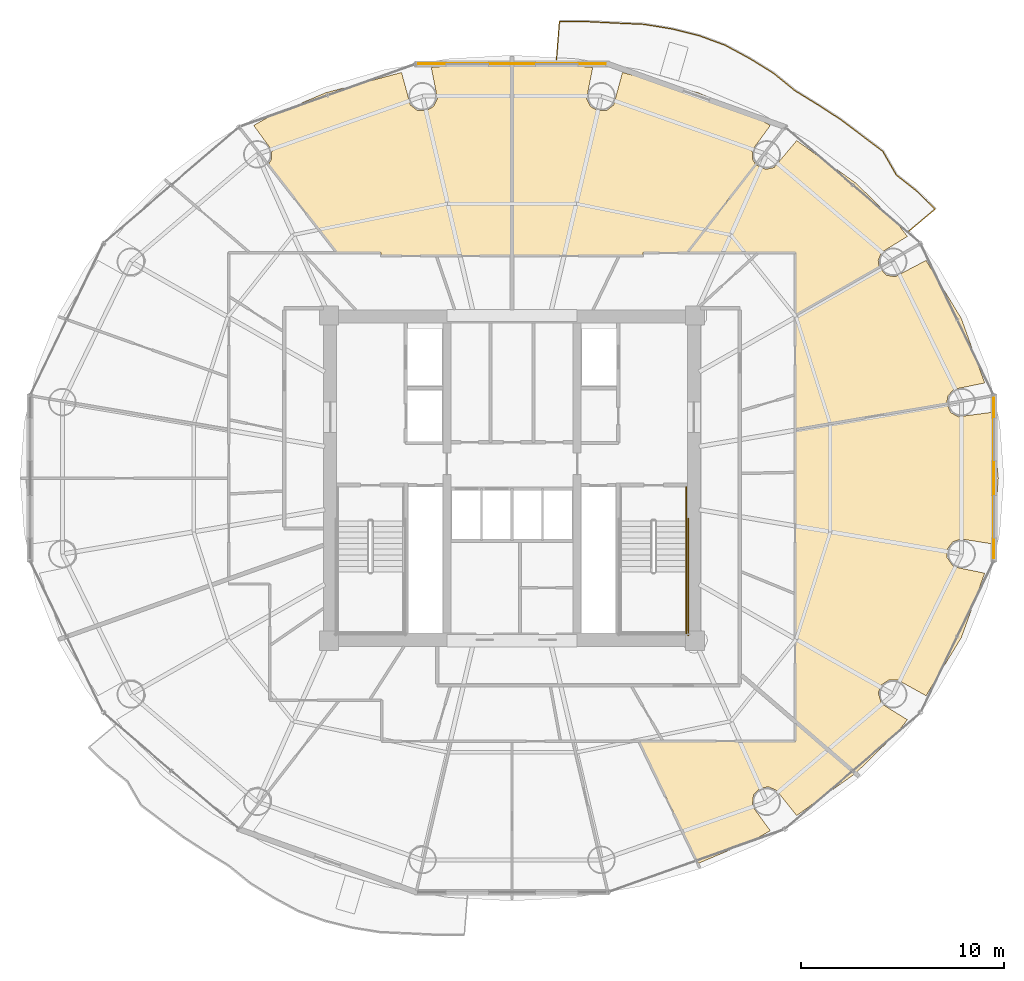
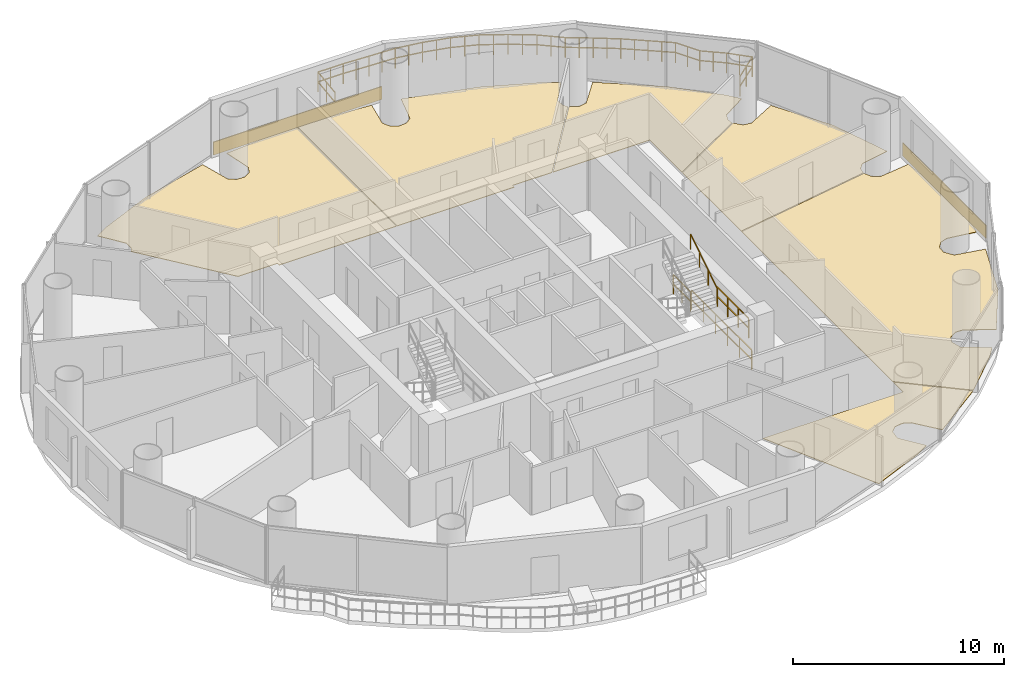
# One storey, part 27 of 27: 8 coverings, 5 railings.
"""IFC4 building model written with IfcOpenShell, lengths in metres."""

import ifcopenshell
import ifcopenshell.guid

model = None  # the IFC model being written
_history = None  # IfcOwnerHistory: only IFC2X3 demands one
_inside = {}  # id of a spatial element -> (the spatial element, [elements in it])
_under = {}  # id of a project, library or spatial element -> (it, [spatial elements below it])
_declared = {}  # id of a project -> (the project, [libraries it declares])
_typed = {}  # id of a type object -> (the type object, [elements of that type])
_made_of = {}  # id of a material, layer set ... -> (it, [elements and type objects made of it])


def new_model(schema):
    """Start an empty IFC model of exactly this schema.

    Asked for "IFC4X3", IfcOpenShell would pick the latest addendum, in which some entities
    have other attributes; the version numbers below select the first issue.
    IFC2X3 requires an IfcOwnerHistory on every rooted entity: one is made here for all.
    """
    global model, _history
    if schema == "IFC4X3":
        model = ifcopenshell.file(schema_version=(4, 3, 0, 0))
    else:
        model = ifcopenshell.file(schema=schema)
    _inside.clear()
    _under.clear()
    _declared.clear()
    _typed.clear()
    _made_of.clear()
    _history = None
    if model.schema == "IFC2X3":
        org = make("IfcOrganization", Name="unknown")
        user = make(
            "IfcPersonAndOrganization",
            ThePerson=make("IfcPerson", FamilyName="unknown"),
            TheOrganization=org,
        )
        app = make(
            "IfcApplication",
            ApplicationDeveloper=org,
            Version="unknown",
            ApplicationFullName="unknown",
            ApplicationIdentifier="unknown",
        )
        _history = make(
            "IfcOwnerHistory",
            OwningUser=user,
            OwningApplication=app,
            ChangeAction="ADDED",
            CreationDate=0,
        )
    return model


def make(cls, **values):
    """One entity of the class cls with the attributes given. An attribute that is None is left unset."""
    return model.create_entity(
        cls, **{name: value for name, value in values.items() if value is not None}
    )


def rooted(cls, **values):
    """An entity with a GlobalId (a new one), such as an element, a storey or a relation."""
    return make(cls, GlobalId=ifcopenshell.guid.new(), OwnerHistory=_history, **values)


def si_unit(unit_type, name, prefix=None):
    """IfcSIUnit, for example si_unit("LENGTHUNIT", "METRE", prefix="MILLI")."""
    return make("IfcSIUnit", UnitType=unit_type, Prefix=prefix, Name=name)


def assignment(units):
    """IfcUnitAssignment: the units of a project."""
    return None if units is None else make("IfcUnitAssignment", Units=units)


def point(xyz):
    """IfcCartesianPoint."""
    return None if xyz is None else make("IfcCartesianPoint", Coordinates=xyz)


def direction(xyz):
    """IfcDirection."""
    return None if xyz is None else make("IfcDirection", DirectionRatios=xyz)


def frame(location, z_axis=None, x_axis=None):
    """IfcAxis2Placement3D, a coordinate frame: its origin and axes. An axis left out is left unset."""
    return make(
        "IfcAxis2Placement3D",
        Location=point(location),
        Axis=direction(z_axis),
        RefDirection=direction(x_axis),
    )


def frame_2d(location, x_axis=None):
    """IfcAxis2Placement2D, a coordinate frame in the plane: its origin and x axis."""
    return make(
        "IfcAxis2Placement2D", Location=point(location), RefDirection=direction(x_axis)
    )


def origin():
    """The frame at (0, 0, 0) with its axes left unset."""
    return frame((0.0, 0.0, 0.0))


def origin_2d():
    """The frame at (0, 0) in the plane with its x axis left unset."""
    return frame_2d((0.0, 0.0))


def place(relative_to, where):
    """IfcLocalPlacement: puts the frame where relative to a parent placement (None: the world)."""
    return make(
        "IfcLocalPlacement", PlacementRelTo=relative_to, RelativePlacement=where
    )


def context(
    kind, dimensions, precision=None, world=None, true_north=None, identifier=None
):
    """IfcGeometricRepresentationContext, for example the 3D "Model" context."""
    return make(
        "IfcGeometricRepresentationContext",
        ContextIdentifier=identifier,
        ContextType=kind,
        CoordinateSpaceDimension=dimensions,
        Precision=precision,
        WorldCoordinateSystem=world,
        TrueNorth=true_north,
    )


def subcontext(parent, identifier, kind, view, scale=None):
    """IfcGeometricRepresentationSubContext, for example "Body" below "Model"."""
    return make(
        "IfcGeometricRepresentationSubContext",
        ContextIdentifier=identifier,
        ContextType=kind,
        ParentContext=parent,
        TargetScale=scale,
        TargetView=view,
    )


def project(units=None, contexts=None):
    """IfcProject with its units and contexts."""
    return rooted(
        "IfcProject",
        Name="project",
        RepresentationContexts=contexts,
        UnitsInContext=assignment(units),
    )


def spatial(cls, under=None, at=None, **own):
    """A site, building, storey or space (cls), placed at a placement, below another one or the project."""
    s = rooted(cls, ObjectPlacement=at, **own)
    if under is not None:
        _under.setdefault(under.id(), (under, []))[1].append(s)
    return s


def polyline(points):
    """IfcPolyline through the points."""
    return make("IfcPolyline", Points=[point(p) for p in points])


def profile(cls, at=None, kind="AREA", **sizes):
    """A parametric profile (cls). Its sizes go by their IFC names, for example OverallWidth=200.0."""
    return make(cls, ProfileType=kind, Position=at, **sizes)


def rectangle(**sizes):
    """IfcRectangleProfileDef."""
    return profile("IfcRectangleProfileDef", **sizes)


def outline(outer, holes=None, kind="AREA"):
    """IfcArbitraryClosedProfileDef: a profile drawn as a closed curve; with holes, ...WithVoids."""
    if holes is None:
        return make("IfcArbitraryClosedProfileDef", ProfileType=kind, OuterCurve=outer)
    return make(
        "IfcArbitraryProfileDefWithVoids",
        ProfileType=kind,
        OuterCurve=outer,
        InnerCurves=holes,
    )


def extrude(swept, where, along, depth):
    """IfcExtrudedAreaSolid: the profile swept, set in the frame where, extruded along a direction by depth."""
    return make(
        "IfcExtrudedAreaSolid",
        SweptArea=swept,
        Position=where,
        ExtrudedDirection=direction(along),
        Depth=depth,
    )


def shape(context_of_items, identifier, shape_type, items):
    """IfcShapeRepresentation: the items that make up one representation, for example the "Body"."""
    return make(
        "IfcShapeRepresentation",
        ContextOfItems=context_of_items,
        RepresentationIdentifier=identifier,
        RepresentationType=shape_type,
        Items=items,
    )


def source(mapping_origin, context_of_items, identifier, shape_type, items):
    """IfcRepresentationMap: a shape defined once, which mapped items show again and again."""
    return make(
        "IfcRepresentationMap",
        MappingOrigin=mapping_origin,
        MappedRepresentation=shape(context_of_items, identifier, shape_type, items),
    )


def transform(
    local_origin,
    x_axis=None,
    y_axis=None,
    z_axis=None,
    scale=None,
    scale2=None,
    scale3=None,
    uniform=True,
):
    """IfcCartesianTransformationOperator3D, or its non-uniform kind. x_axis, y_axis, z_axis: its Axis1, 2, 3."""
    if uniform:
        return make(
            "IfcCartesianTransformationOperator3D",
            Axis1=direction(x_axis),
            Axis2=direction(y_axis),
            LocalOrigin=point(local_origin),
            Scale=scale,
            Axis3=direction(z_axis),
        )
    return make(
        "IfcCartesianTransformationOperator3DnonUniform",
        Axis1=direction(x_axis),
        Axis2=direction(y_axis),
        LocalOrigin=point(local_origin),
        Scale=scale,
        Axis3=direction(z_axis),
        Scale2=scale2,
        Scale3=scale3,
    )


def mapped(mapping_source, mapping_target):
    """IfcMappedItem: shows the shape of a source again, moved by a transform."""
    return make(
        "IfcMappedItem", MappingSource=mapping_source, MappingTarget=mapping_target
    )


def material(Name=None, Category=None):
    """IfcMaterial."""
    return make("IfcMaterial", Name=Name, Category=Category)


def layer(
    of_material, thickness, ventilated=None, Name=None, Category=None, Priority=None
):
    """IfcMaterialLayer: one layer of a wall or slab, of a material (None: an air gap)."""
    return make(
        "IfcMaterialLayer",
        Material=of_material,
        LayerThickness=thickness,
        IsVentilated=ventilated,
        Name=Name,
        Category=Category,
        Priority=Priority,
    )


def layer_set(layers, Name=None):
    """IfcMaterialLayerSet."""
    return make("IfcMaterialLayerSet", MaterialLayers=layers, LayerSetName=Name)


def made_of(thing, what):
    """Note that an element or type object is made of a material, layer set ...; save() writes the relation."""
    if what is not None:
        _made_of.setdefault(what.id(), (what, []))[1].append(thing)
    return thing


def type_object(cls, material=None, **own):
    """A type object (cls), such as IfcWallType, which elements share."""
    return made_of(rooted(cls, **own), material)


def element(
    cls,
    number,
    at=None,
    inside=None,
    cuts=None,
    type_object=None,
    material=None,
    context=None,
    identifier="Body",
    shape_type=None,
    held_by="IfcProductDefinitionShape",
    body=None,
    shapes=None,
    **own,
):
    """One element of the class cls, such as IfcWall. Its Tag is "e" and its number.

    at: its placement. inside: the storey or other place that contains it. cuts: it is an
    opening in that element (IfcRelVoidsElement). A single representation is given by context,
    identifier, shape_type and body (its items); several are given by shapes. held_by: the class
    of the entity that holds the representations. save() writes the other relations.
    """
    e = rooted(cls, Tag="e%d" % number, ObjectPlacement=at, **own)
    if body is not None:
        shapes = [shape(context, identifier, shape_type, body)]
    if shapes is not None:
        e.Representation = make(held_by, Representations=shapes)
    if inside is not None:
        _inside.setdefault(inside.id(), (inside, []))[1].append(e)
    if cuts is not None:
        rooted(
            "IfcRelVoidsElement", RelatingBuildingElement=cuts, RelatedOpeningElement=e
        )
    if type_object is not None:
        _typed.setdefault(type_object.id(), (type_object, []))[1].append(e)
    return made_of(e, material)


def aggregate(whole, parts):
    """IfcRelAggregates: a whole, such as a stair, and the parts it consists of."""
    return rooted("IfcRelAggregates", RelatingObject=whole, RelatedObjects=parts)


def save(model, path):
    """Write the relations noted so far, then the file.

    IfcRelAggregates (storeys below a building ...), IfcRelContainedInSpatialStructure (elements
    in a storey), IfcRelDefinesByType, IfcRelAssociatesMaterial and IfcRelDeclares: one each for
    every whole, place, type object, material and project.
    """
    for whole, parts in _under.values():
        aggregate(whole, parts)
    for where, things in _inside.values():
        rooted(
            "IfcRelContainedInSpatialStructure",
            RelatedElements=things,
            RelatingStructure=where,
        )
    for kind, things in _typed.values():
        rooted("IfcRelDefinesByType", RelatedObjects=things, RelatingType=kind)
    for what, things in _made_of.values():
        rooted("IfcRelAssociatesMaterial", RelatedObjects=things, RelatingMaterial=what)
    for by, libraries in _declared.values():
        rooted("IfcRelDeclares", RelatingContext=by, RelatedDefinitions=libraries)
    model.write(path)


model = new_model("IFC4")

# Units and contexts
model_context = context("Model", 3, precision=1e-05, world=origin(), true_north=direction((-0.2419218956, 0.970295726276)))
body_context = subcontext(model_context, "Body", "Model", "MODEL_VIEW")
ifc_project = project(units=[si_unit("LENGTHUNIT", "METRE"), si_unit("AREAUNIT", "SQUARE_METRE"), si_unit("VOLUMEUNIT", "CUBIC_METRE"), si_unit("PLANEANGLEUNIT", "RADIAN"), si_unit("MASSUNIT", "GRAM", prefix="KILO")], contexts=[model_context])

# Site, building, storey
site_placement = place(None, origin())
site = spatial("IfcSite", under=ifc_project, at=site_placement, CompositionType="ELEMENT")
building_placement = place(site_placement, origin())
building = spatial("IfcBuilding", under=site, at=building_placement, Name="Cobrevalo Terracotta Tower", CompositionType="ELEMENT")
storey_placement = place(building_placement, frame((0.0, 0.0, 146.199951171875)))
storey = spatial("IfcBuildingStorey", under=building, at=storey_placement, Name="L38", CompositionType="ELEMENT", Elevation=146.199951171875)

# Railing
ifc_material_1 = material(Name="Laminated structural glass and stainless steel", Category="steel")
railing_type_1 = type_object("IfcRailingType", Name="Balcony lobe structural glass & terracotta-cap balustrade 1180 mm", PredefinedType="BALUSTRADE", material=ifc_material_1)
railing_1_placement = place(storey_placement, frame((57.500244140625, 38.928955078125, 0.0)))
element("IfcRailing", 1, at=railing_1_placement, inside=storey, type_object=railing_type_1, Name="L38 spiralling balcony lobe balustrade 1", PredefinedType="BALUSTRADE", context=body_context, shape_type="SweptSolid", body=[
    extrude(rectangle(XDim=0.048095703125, YDim=0.048095703125, at=origin_2d()), frame((0.0, 0.0, 1.15576171875), z_axis=(0.765211547873, 0.643778911585, 0.0), x_axis=(-0.643778911585, 0.765211547873, 0.0)), (0.0, 0.0, 1.0), 1.70703125),
    extrude(rectangle(XDim=0.048095703125, YDim=0.048095703125, at=origin_2d()), frame((0.0, 0.0, 0.58984375), z_axis=(0.765211547873, 0.643778911585, 0.0), x_axis=(-0.643778911585, 0.765211547873, 0.0)), (0.0, 0.0, 1.0), 1.70703125),
    extrude(rectangle(XDim=0.048095703125, YDim=0.048095703125, at=origin_2d()), frame((1.30615234375, 1.098876953125, 1.15576171875), z_axis=(-0.710283442985, 0.703915783757, 0.0), x_axis=(-0.703915783757, -0.710283442985, 0.0)), (0.0, 0.0, 1.0), 1.26513671875),
    extrude(rectangle(XDim=0.048095703125, YDim=0.048095703125, at=origin_2d()), frame((1.30615234375, 1.098876953125, 0.58984375), z_axis=(-0.710283442985, 0.703915783757, 0.0), x_axis=(-0.703915783757, -0.710283442985, 0.0)), (0.0, 0.0, 1.0), 1.26513671875),
    extrude(rectangle(XDim=0.048095703125, YDim=0.048095703125, at=origin_2d()), frame((0.407470703125, 1.989501953125, 1.15576171875), z_axis=(-0.78555631562, 0.618790170405, 0.0), x_axis=(-0.618790170405, -0.78555631562, 0.0)), (0.0, 0.0, 1.0), 1.279541015625),
    extrude(rectangle(XDim=0.048095703125, YDim=0.048095703125, at=origin_2d()), frame((0.407470703125, 1.989501953125, 0.58984375), z_axis=(-0.78555631562, 0.618790170405, 0.0), x_axis=(-0.618790170405, -0.78555631562, 0.0)), (0.0, 0.0, 1.0), 1.279541015625),
    extrude(rectangle(XDim=0.048095703125, YDim=0.048095703125, at=origin_2d()), frame((-0.59765625, 2.78125, 1.15576171875), z_axis=(-0.496491953302, 0.868041324078, 0.0), x_axis=(-0.868041324078, -0.496491953302, 0.0)), (0.0, 0.0, 1.0), 1.340576171875),
    extrude(rectangle(XDim=0.048095703125, YDim=0.048095703125, at=origin_2d()), frame((-0.59765625, 2.78125, 0.58984375), z_axis=(-0.496491953302, 0.868041324078, 0.0), x_axis=(-0.868041324078, -0.496491953302, 0.0)), (0.0, 0.0, 1.0), 1.340576171875),
    extrude(rectangle(XDim=0.048095703125, YDim=0.048095703125, at=origin_2d()), frame((-1.26318359375, 3.94482421875, 1.15576171875), z_axis=(-0.797301906238, 0.60358070737, 0.0), x_axis=(-0.60358070737, -0.797301906238, 0.0)), (0.0, 0.0, 1.0), 1.306884765625),
    extrude(rectangle(XDim=0.048095703125, YDim=0.048095703125, at=origin_2d()), frame((-1.26318359375, 3.94482421875, 0.58984375), z_axis=(-0.797301906238, 0.60358070737, 0.0), x_axis=(-0.60358070737, -0.797301906238, 0.0)), (0.0, 0.0, 1.0), 1.306884765625),
    extrude(rectangle(XDim=0.048095703125, YDim=0.048095703125, at=origin_2d()), frame((-2.30517578125, 4.733642578125, 1.15576171875), z_axis=(-0.79941605163, 0.600777809507, 0.0), x_axis=(-0.600777809507, -0.79941605163, 0.0)), (0.0, 0.0, 1.0), 1.30517578125),
    extrude(rectangle(XDim=0.048095703125, YDim=0.048095703125, at=origin_2d()), frame((-2.30517578125, 4.733642578125, 0.58984375), z_axis=(-0.79941605163, 0.600777809507, 0.0), x_axis=(-0.600777809507, -0.79941605163, 0.0)), (0.0, 0.0, 1.0), 1.30517578125),
    extrude(rectangle(XDim=0.048095703125, YDim=0.048095703125, at=origin_2d()), frame((-3.3486328125, 5.517822265625, 1.15576171875), z_axis=(-0.839295869754, 0.543674942418, 0.0), x_axis=(-0.543674942418, -0.839295869754, 0.0)), (0.0, 0.0, 1.0), 1.31396484375),
    extrude(rectangle(XDim=0.048095703125, YDim=0.048095703125, at=origin_2d()), frame((-3.3486328125, 5.517822265625, 0.58984375), z_axis=(-0.839295869754, 0.543674942418, 0.0), x_axis=(-0.543674942418, -0.839295869754, 0.0)), (0.0, 0.0, 1.0), 1.31396484375),
    extrude(rectangle(XDim=0.048095703125, YDim=0.048095703125, at=origin_2d()), frame((-4.451416015625, 6.232177734375, 1.15576171875), z_axis=(-0.851721526371, 0.523994696077, 0.0), x_axis=(-0.523994696077, -0.851721526371, 0.0)), (0.0, 0.0, 1.0), 1.325927734375),
    extrude(rectangle(XDim=0.048095703125, YDim=0.048095703125, at=origin_2d()), frame((-4.451416015625, 6.232177734375, 0.58984375), z_axis=(-0.851721526371, 0.523994696077, 0.0), x_axis=(-0.523994696077, -0.851721526371, 0.0)), (0.0, 0.0, 1.0), 1.325927734375),
    extrude(rectangle(XDim=0.048095703125, YDim=0.048095703125, at=origin_2d()), frame((-5.580810546875, 6.927001953125, 1.15576171875), z_axis=(-0.775745938629, 0.631045353918, 0.0), x_axis=(-0.631045353918, -0.775745938629, 0.0)), (0.0, 0.0, 1.0), 1.35986328125),
    extrude(rectangle(XDim=0.048095703125, YDim=0.048095703125, at=origin_2d()), frame((-5.580810546875, 6.927001953125, 0.58984375), z_axis=(-0.775745938629, 0.631045353918, 0.0), x_axis=(-0.631045353918, -0.775745938629, 0.0)), (0.0, 0.0, 1.0), 1.35986328125),
    extrude(rectangle(XDim=0.048095703125, YDim=0.048095703125, at=origin_2d()), frame((-6.6357421875, 7.78515625, 1.15576171875), z_axis=(-0.850898741529, 0.525329736132, 0.0), x_axis=(-0.525329736132, -0.850898741529, 0.0)), (0.0, 0.0, 1.0), 1.3701171875),
    extrude(rectangle(XDim=0.048095703125, YDim=0.048095703125, at=origin_2d()), frame((-6.6357421875, 7.78515625, 0.58984375), z_axis=(-0.850898741529, 0.525329736132, 0.0), x_axis=(-0.525329736132, -0.850898741529, 0.0)), (0.0, 0.0, 1.0), 1.3701171875),
    extrude(rectangle(XDim=0.048095703125, YDim=0.048095703125, at=origin_2d()), frame((-7.801513671875, 8.5048828125, 1.15576171875), z_axis=(-0.879443617279, 0.476003071447, 0.0), x_axis=(-0.476003071447, -0.879443617279, 0.0)), (0.0, 0.0, 1.0), 1.376220703125),
    extrude(rectangle(XDim=0.048095703125, YDim=0.048095703125, at=origin_2d()), frame((-7.801513671875, 8.5048828125, 0.58984375), z_axis=(-0.879443617279, 0.476003071447, 0.0), x_axis=(-0.476003071447, -0.879443617279, 0.0)), (0.0, 0.0, 1.0), 1.376220703125),
    extrude(rectangle(XDim=0.048095703125, YDim=0.048095703125, at=origin_2d()), frame((-9.01171875, 9.159912109375, 1.15576171875), z_axis=(-0.938494188168, 0.345295031496, 0.0), x_axis=(-0.345295031496, -0.938494188168, 0.0)), (0.0, 0.0, 1.0), 1.378662109375),
    extrude(rectangle(XDim=0.048095703125, YDim=0.048095703125, at=origin_2d()), frame((-9.01171875, 9.159912109375, 0.58984375), z_axis=(-0.938494188168, 0.345295031496, 0.0), x_axis=(-0.345295031496, -0.938494188168, 0.0)), (0.0, 0.0, 1.0), 1.378662109375),
    extrude(rectangle(XDim=0.048095703125, YDim=0.048095703125, at=origin_2d()), frame((-10.3056640625, 9.635986328125, 1.15576171875), z_axis=(-0.9707405986, 0.240130569127, 0.0), x_axis=(-0.240130569127, -0.9707405986, 0.0)), (0.0, 0.0, 1.0), 1.3857421875),
    extrude(rectangle(XDim=0.048095703125, YDim=0.048095703125, at=origin_2d()), frame((-10.3056640625, 9.635986328125, 0.58984375), z_axis=(-0.9707405986, 0.240130569127, 0.0), x_axis=(-0.240130569127, -0.9707405986, 0.0)), (0.0, 0.0, 1.0), 1.3857421875),
    extrude(rectangle(XDim=0.048095703125, YDim=0.048095703125, at=origin_2d()), frame((-11.65087890625, 9.96875, 1.15576171875), z_axis=(-0.987090407855, 0.160164061889, 0.0), x_axis=(-0.160164061889, -0.987090407855, 0.0)), (0.0, 0.0, 1.0), 1.384033203125),
    extrude(rectangle(XDim=0.048095703125, YDim=0.048095703125, at=origin_2d()), frame((-11.65087890625, 9.96875, 0.58984375), z_axis=(-0.987090407855, 0.160164061889, 0.0), x_axis=(-0.160164061889, -0.987090407855, 0.0)), (0.0, 0.0, 1.0), 1.384033203125),
    extrude(rectangle(XDim=0.048095703125, YDim=0.048095703125, at=origin_2d()), frame((-13.01708984375, 10.1904296875, 1.15576171875), z_axis=(-0.999029931504, 0.044036302736, 0.0), x_axis=(-0.044036302736, -0.999029931504, 0.0)), (0.0, 0.0, 1.0), 1.397216796875),
    extrude(rectangle(XDim=0.048095703125, YDim=0.048095703125, at=origin_2d()), frame((-13.01708984375, 10.1904296875, 0.58984375), z_axis=(-0.999029931504, 0.044036302736, 0.0), x_axis=(-0.044036302736, -0.999029931504, 0.0)), (0.0, 0.0, 1.0), 1.397216796875),
    extrude(rectangle(XDim=0.048095703125, YDim=0.048095703125, at=origin_2d()), frame((-14.412841796875, 10.251953125, 1.15576171875), z_axis=(-0.998718576562, 0.05060834743, 0.0), x_axis=(-0.05060834743, -0.998718576562, 0.0)), (0.0, 0.0, 1.0), 1.379638671875),
    extrude(rectangle(XDim=0.048095703125, YDim=0.048095703125, at=origin_2d()), frame((-14.412841796875, 10.251953125, 0.58984375), z_axis=(-0.998718576562, 0.05060834743, 0.0), x_axis=(-0.05060834743, -0.998718576562, 0.0)), (0.0, 0.0, 1.0), 1.379638671875),
    extrude(rectangle(XDim=0.048095703125, YDim=0.048095703125, at=origin_2d()), frame((-15.790771484375, 10.32177734375, 1.15576171875), z_axis=(-0.999999748325, 0.000709471265, 0.0), x_axis=(-0.000709471265, -0.999999748325, 0.0)), (0.0, 0.0, 1.0), 1.37646484375),
    extrude(rectangle(XDim=0.048095703125, YDim=0.048095703125, at=origin_2d()), frame((-15.790771484375, 10.32177734375, 0.58984375), z_axis=(-0.999999748325, 0.000709471265, 0.0), x_axis=(-0.000709471265, -0.999999748325, 0.0)), (0.0, 0.0, 1.0), 1.37646484375),
    extrude(rectangle(XDim=0.048095703125, YDim=0.048095703125, at=origin_2d()), frame((-17.167236328125, 10.32275390625, 1.15576171875), z_axis=(-0.078303149212, -0.996929594717, 0.0), x_axis=(0.996929594717, -0.078303149212, 0.0)), (0.0, 0.0, 1.0), 1.870849609375),
    extrude(rectangle(XDim=0.048095703125, YDim=0.048095703125, at=origin_2d()), frame((-17.167236328125, 10.32275390625, 0.58984375), z_axis=(-0.078303149212, -0.996929594717, 0.0), x_axis=(0.996929594717, -0.078303149212, 0.0)), (0.0, 0.0, 1.0), 1.870849609375),
    extrude(rectangle(XDim=0.0419921875, YDim=0.0419921875, at=origin_2d()), origin(), (0.0, 0.0, 1.0), 1.1318359375),
    extrude(rectangle(XDim=0.0419921875, YDim=0.0419921875, at=origin_2d()), frame((0.653076171875, 0.54931640625, 0.0)), (0.0, 0.0, 1.0), 1.1318359375),
    extrude(rectangle(XDim=0.0419921875, YDim=0.0419921875, at=origin_2d()), frame((1.30615234375, 1.098876953125, 0.0)), (0.0, 0.0, 1.0), 1.1318359375),
    extrude(rectangle(XDim=0.0419921875, YDim=0.0419921875, at=origin_2d()), frame((0.85693359375, 1.544189453125, 0.0)), (0.0, 0.0, 1.0), 1.1318359375),
    extrude(rectangle(XDim=0.0419921875, YDim=0.0419921875, at=origin_2d()), frame((0.407470703125, 1.989501953125, 0.0)), (0.0, 0.0, 1.0), 1.1318359375),
    extrude(rectangle(XDim=0.0419921875, YDim=0.0419921875, at=origin_2d()), frame((-0.09521484375, 2.38525390625, 0.0)), (0.0, 0.0, 1.0), 1.1318359375),
    extrude(rectangle(XDim=0.0419921875, YDim=0.0419921875, at=origin_2d()), frame((-0.59765625, 2.78125, 0.0)), (0.0, 0.0, 1.0), 1.1318359375),
    extrude(rectangle(XDim=0.0419921875, YDim=0.0419921875, at=origin_2d()), frame((-0.930419921875, 3.363037109375, 0.0)), (0.0, 0.0, 1.0), 1.1318359375),
    extrude(rectangle(XDim=0.0419921875, YDim=0.0419921875, at=origin_2d()), frame((-1.26318359375, 3.94482421875, 0.0)), (0.0, 0.0, 1.0), 1.1318359375),
    extrude(rectangle(XDim=0.0419921875, YDim=0.0419921875, at=origin_2d()), frame((-1.7841796875, 4.33935546875, 0.0)), (0.0, 0.0, 1.0), 1.1318359375),
    extrude(rectangle(XDim=0.0419921875, YDim=0.0419921875, at=origin_2d()), frame((-2.30517578125, 4.733642578125, 0.0)), (0.0, 0.0, 1.0), 1.1318359375),
    extrude(rectangle(XDim=0.0419921875, YDim=0.0419921875, at=origin_2d()), frame((-2.826904296875, 5.125732421875, 0.0)), (0.0, 0.0, 1.0), 1.1318359375),
    extrude(rectangle(XDim=0.0419921875, YDim=0.0419921875, at=origin_2d()), frame((-3.3486328125, 5.517822265625, 0.0)), (0.0, 0.0, 1.0), 1.1318359375),
    extrude(rectangle(XDim=0.0419921875, YDim=0.0419921875, at=origin_2d()), frame((-3.89990234375, 5.875, 0.0)), (0.0, 0.0, 1.0), 1.1318359375),
    extrude(rectangle(XDim=0.0419921875, YDim=0.0419921875, at=origin_2d()), frame((-4.451416015625, 6.232177734375, 0.0)), (0.0, 0.0, 1.0), 1.1318359375),
    extrude(rectangle(XDim=0.0419921875, YDim=0.0419921875, at=origin_2d()), frame((-5.01611328125, 6.57958984375, 0.0)), (0.0, 0.0, 1.0), 1.1318359375),
    extrude(rectangle(XDim=0.0419921875, YDim=0.0419921875, at=origin_2d()), frame((-5.580810546875, 6.927001953125, 0.0)), (0.0, 0.0, 1.0), 1.1318359375),
    extrude(rectangle(XDim=0.0419921875, YDim=0.0419921875, at=origin_2d()), frame((-6.1083984375, 7.35595703125, 0.0)), (0.0, 0.0, 1.0), 1.1318359375),
    extrude(rectangle(XDim=0.0419921875, YDim=0.0419921875, at=origin_2d()), frame((-6.6357421875, 7.78515625, 0.0)), (0.0, 0.0, 1.0), 1.1318359375),
    extrude(rectangle(XDim=0.0419921875, YDim=0.0419921875, at=origin_2d()), frame((-7.21875, 8.14501953125, 0.0)), (0.0, 0.0, 1.0), 1.1318359375),
    extrude(rectangle(XDim=0.0419921875, YDim=0.0419921875, at=origin_2d()), frame((-7.801513671875, 8.5048828125, 0.0)), (0.0, 0.0, 1.0), 1.1318359375),
    extrude(rectangle(XDim=0.0419921875, YDim=0.0419921875, at=origin_2d()), frame((-8.40673828125, 8.83251953125, 0.0)), (0.0, 0.0, 1.0), 1.1318359375),
    extrude(rectangle(XDim=0.0419921875, YDim=0.0419921875, at=origin_2d()), frame((-9.01171875, 9.159912109375, 0.0)), (0.0, 0.0, 1.0), 1.1318359375),
    extrude(rectangle(XDim=0.0419921875, YDim=0.0419921875, at=origin_2d()), frame((-9.65869140625, 9.39794921875, 0.0)), (0.0, 0.0, 1.0), 1.1318359375),
    extrude(rectangle(XDim=0.0419921875, YDim=0.0419921875, at=origin_2d()), frame((-10.3056640625, 9.635986328125, 0.0)), (0.0, 0.0, 1.0), 1.1318359375),
    extrude(rectangle(XDim=0.0419921875, YDim=0.0419921875, at=origin_2d()), frame((-10.978271484375, 9.80224609375, 0.0)), (0.0, 0.0, 1.0), 1.1318359375),
    extrude(rectangle(XDim=0.0419921875, YDim=0.0419921875, at=origin_2d()), frame((-11.65087890625, 9.96875, 0.0)), (0.0, 0.0, 1.0), 1.1318359375),
    extrude(rectangle(XDim=0.0419921875, YDim=0.0419921875, at=origin_2d()), frame((-12.333984375, 10.07958984375, 0.0)), (0.0, 0.0, 1.0), 1.1318359375),
    extrude(rectangle(XDim=0.0419921875, YDim=0.0419921875, at=origin_2d()), frame((-13.01708984375, 10.1904296875, 0.0)), (0.0, 0.0, 1.0), 1.1318359375),
    extrude(rectangle(XDim=0.0419921875, YDim=0.0419921875, at=origin_2d()), frame((-13.71484375, 10.22119140625, 0.0)), (0.0, 0.0, 1.0), 1.1318359375),
    extrude(rectangle(XDim=0.0419921875, YDim=0.0419921875, at=origin_2d()), frame((-14.412841796875, 10.251953125, 0.0)), (0.0, 0.0, 1.0), 1.1318359375),
    extrude(rectangle(XDim=0.0419921875, YDim=0.0419921875, at=origin_2d()), frame((-15.101806640625, 10.286865234375, 0.0)), (0.0, 0.0, 1.0), 1.1318359375),
    extrude(rectangle(XDim=0.0419921875, YDim=0.0419921875, at=origin_2d()), frame((-15.790771484375, 10.32177734375, 0.0)), (0.0, 0.0, 1.0), 1.1318359375),
    extrude(rectangle(XDim=0.0419921875, YDim=0.0419921875, at=origin_2d()), frame((-16.47900390625, 10.322265625, 0.0)), (0.0, 0.0, 1.0), 1.1318359375),
    extrude(rectangle(XDim=0.0419921875, YDim=0.0419921875, at=origin_2d()), frame((-17.167236328125, 10.32275390625, 0.0)), (0.0, 0.0, 1.0), 1.1318359375),
    extrude(rectangle(XDim=0.0419921875, YDim=0.0419921875, at=origin_2d()), frame((-17.240478515625, 9.39013671875, 0.0)), (0.0, 0.0, 1.0), 1.1318359375),
    extrude(rectangle(XDim=0.0419921875, YDim=0.0419921875, at=origin_2d()), frame((-17.313720703125, 8.457763671875, 0.0)), (0.0, 0.0, 1.0), 1.1318359375),
])

# Coverings
ifc_material_2 = material(Name="Engineered Brazilian hardwood flooring", Category="wood")
ifc_layer_1 = layer(ifc_material_2, 0.028076171875)
ifc_layer_set_1 = layer_set([ifc_layer_1], Name="Engineered Brazilian hardwood flooring")
covering_type_1 = type_object("IfcCoveringType", Name="Engineered Hardwood Suite Flooring 28", PredefinedType="FLOORING", material=ifc_layer_set_1)
covering_1_placement = place(storey_placement, origin())
element("IfcCovering", 2, at=covering_1_placement, inside=storey, type_object=covering_type_1, Name="Flat L38A Penthouse Living and Dining Room floor finish", PredefinedType="FLOORING", context=body_context, shape_type="SweptSolid", body=[
    extrude(outline(polyline([(28.84521484375, 45.757568359375), (32.567138671875, 46.75), (32.99951171875, 45.150390625), (33.3408203125, 44.88916015625), (33.76953125, 44.861328125), (34.141357421875, 45.07666015625), (34.3310546875, 45.462158203125), (34.02880859375, 46.99951171875), (37.97998046875, 47.31884765625), (37.97998046875, 37.7451171875), (31.554931640625, 37.7451171875), (31.554931640625, 37.905029296875), (29.392333984375, 37.905029296875), (26.02490234375, 42.236572265625), (26.175537109375, 42.4931640625), (26.184326171875, 42.9228515625), (25.295166015625, 44.143798828125), (26.038818359375, 44.5703125), (28.84521484375, 45.757568359375)])), origin(), (0.0, 0.0, 1.0), 0.030029296875),
])
covering_2_placement = place(storey_placement, origin())
element("IfcCovering", 3, at=covering_2_placement, inside=storey, type_object=covering_type_1, Name="Flat L38B Penthouse Family Lounge floor finish", PredefinedType="FLOORING", context=body_context, shape_type="SweptSolid", body=[
    extrude(outline(polyline([(47.156982421875, 7.84521484375), (44.265380859375, 13.844970703125), (51.955078125, 13.844970703125), (51.955078125, 14.779296875), (54.880126953125, 12.264892578125), (52.00244140625, 10.2001953125), (51.00927734375, 11.439697265625), (50.61572265625, 11.6123046875), (50.192626953125, 11.537109375), (49.8828125, 11.239501953125), (49.815673828125, 10.67724609375), (50.704833984375, 9.4560546875), (49.961181640625, 9.02978515625), (47.156982421875, 7.84521484375)])), origin(), (0.0, 0.0, 1.0), 0.030029296875),
])
covering_3_placement = place(storey_placement, origin())
element("IfcCovering", 4, at=covering_3_placement, inside=storey, type_object=covering_type_1, Name="Flat L38C Penthouse Living and Dining Room floor finish", PredefinedType="FLOORING", context=body_context, shape_type="SweptSolid", body=[
    extrude(outline(polyline([(58.367431640625, 16.09375), (56.982177734375, 16.863525390625), (56.552734375, 16.874267578125), (56.189697265625, 16.64453125), (56.01513671875, 16.251953125), (56.165771484375, 15.705810546875), (57.448486328125, 14.91357421875), (56.97802734375, 14.309326171875), (54.9111328125, 12.291015625), (51.955078125, 14.83203125), (51.955078125, 29.16552734375), (59.388427734375, 30.436279296875), (59.578369140625, 30.028076171875), (59.951416015625, 29.814697265625), (61.58642578125, 30.03369140625), (61.919921875, 26.800048828125), (61.71533203125, 24.1220703125), (61.58642578125, 23.566162109375), (60.09521484375, 23.8037109375), (59.687744140625, 23.667236328125), (59.425048828125, 23.327392578125), (59.395263671875, 22.898681640625), (59.7236328125, 22.43701171875), (61.251708984375, 22.121826171875), (60.099609375, 18.948486328125), (58.367431640625, 16.09375)])), origin(), (0.0, 0.0, 1.0), 0.030029296875),
])
covering_4_placement = place(storey_placement, origin())
element("IfcCovering", 5, at=covering_4_placement, inside=storey, type_object=covering_type_1, Name="Flat L38C Master Bedroom floor finish", PredefinedType="FLOORING", context=body_context, shape_type="SweptSolid", body=[
    extrude(outline(polyline([(56.070068359375, 37.154541015625), (56.417236328125, 36.77783203125), (56.8408203125, 36.70458984375), (58.367431640625, 37.50634765625), (60.099609375, 34.651611328125), (61.251708984375, 31.478271484375), (59.7236328125, 31.1630859375), (59.44140625, 30.8388671875), (59.382568359375, 30.47607421875), (51.955078125, 29.2060546875), (51.955078125, 34.791259765625), (56.070068359375, 37.154541015625)])), origin(), (0.0, 0.0, 1.0), 0.030029296875),
])
covering_5_placement = place(storey_placement, origin())
element("IfcCovering", 6, at=covering_5_placement, inside=storey, type_object=covering_type_1, Name="Flat L38C Principal Guest Bedroom floor finish", PredefinedType="FLOORING", context=body_context, shape_type="SweptSolid", body=[
    extrude(outline(polyline([(46.658447265625, 37.905029296875), (50.002197265625, 42.20654296875), (50.470703125, 41.98486328125), (50.890380859375, 42.0771484375), (52.00244140625, 43.39990234375), (54.9150390625, 41.308837890625), (56.97802734375, 39.29052734375), (57.448486328125, 38.6865234375), (56.165771484375, 37.89404296875), (56.011474609375, 37.4931640625), (56.05615234375, 37.192626953125), (51.955078125, 34.83740234375), (51.955078125, 37.905029296875), (46.658447265625, 37.905029296875)])), origin(), (0.0, 0.0, 1.0), 0.030029296875),
])
covering_6_placement = place(storey_placement, origin())
element("IfcCovering", 7, at=covering_6_placement, inside=storey, type_object=covering_type_1, Name="Flat L38C Penthouse Family Lounge floor finish", PredefinedType="FLOORING", context=body_context, shape_type="SweptSolid", body=[
    extrude(outline(polyline([(44.445068359375, 37.7451171875), (38.02001953125, 37.7451171875), (38.02001953125, 47.31884765625), (41.97119140625, 46.99951171875), (41.6689453125, 45.462158203125), (41.858642578125, 45.07666015625), (42.23046875, 44.861328125), (42.6591796875, 44.88916015625), (43.00048828125, 45.150390625), (43.432861328125, 46.75), (47.15478515625, 45.757568359375), (49.961181640625, 44.5703125), (50.704833984375, 44.143798828125), (49.815673828125, 42.9228515625), (49.824462890625, 42.4931640625), (49.97509765625, 42.236572265625), (46.607666015625, 37.905029296875), (44.445068359375, 37.905029296875), (44.445068359375, 37.7451171875)])), origin(), (0.0, 0.0, 1.0), 0.030029296875),
])

# Railings
ifc_material_3 = material(Name="Brushed stainless steel", Category="steel")
railing_type_2 = type_object("IfcRailingType", Name="Stainless Steel Stair Handrail 900", PredefinedType="HANDRAIL", material=ifc_material_3)
railing_2_placement = place(storey_placement, frame((46.574951171875, 22.179931640625, 1.97998046875)))
element("IfcRailing", 8, at=railing_2_placement, inside=storey, type_object=railing_type_2, Name="L38 ST-2 stair handrail 2", PredefinedType="HANDRAIL", context=body_context, shape_type="SweptSolid", body=[
    extrude(rectangle(XDim=0.048095703125, YDim=0.048095703125, at=origin_2d()), frame((0.0, 0.0, 0.8759765625), z_axis=(0.0, 0.841162588446, 0.540782303519), x_axis=(-1.0, 0.0, 0.0)), (0.0, 0.0, 1.0), 2.995849609375),
    extrude(rectangle(XDim=0.0419921875, YDim=0.0419921875, at=origin_2d()), origin(), (0.0, 0.0, 1.0), 0.851806640625),
    extrude(rectangle(XDim=0.0419921875, YDim=0.0419921875, at=origin_2d()), frame((0.0, 0.840087890625, 0.5400390625)), (0.0, 0.0, 1.0), 0.851806640625),
    extrude(rectangle(XDim=0.0419921875, YDim=0.0419921875, at=origin_2d()), frame((0.0, 1.679931640625, 1.080078125)), (0.0, 0.0, 1.0), 0.851806640625),
    extrude(rectangle(XDim=0.0419921875, YDim=0.0419921875, at=origin_2d()), frame((0.0, 2.52001953125, 1.6201171875)), (0.0, 0.0, 1.0), 0.851806640625),
])
ifc_material_4 = material(Name="Painted galvanized steel", Category="steel")
railing_type_3 = type_object("IfcRailingType", Name="Stair Well Guard Balustrade 1150", PredefinedType="GUARDRAIL", material=ifc_material_4)
railing_3_placement = place(storey_placement, frame((46.574951171875, 22.179931640625, 1.800048828125)))
element("IfcRailing", 9, at=railing_3_placement, inside=storey, type_object=railing_type_3, Name="L38 ST-2 stair guard 4", PredefinedType="GUARDRAIL", context=body_context, shape_type="SweptSolid", body=[
    extrude(rectangle(XDim=0.048095703125, YDim=0.048095703125, at=origin_2d()), frame((0.0, 0.0, 1.1259765625), z_axis=(0.0, -1.0, 0.0), x_axis=(1.0, 0.0, 0.0)), (0.0, 0.0, 1.0), 3.0048828125),
    extrude(rectangle(XDim=0.048095703125, YDim=0.048095703125, at=origin_2d()), frame((0.0, 0.0, 0.574951171875), z_axis=(0.0, -1.0, 0.0), x_axis=(1.0, 0.0, 0.0)), (0.0, 0.0, 1.0), 3.0048828125),
    extrude(rectangle(XDim=0.0419921875, YDim=0.0419921875, at=origin_2d()), origin(), (0.0, 0.0, 1.0), 1.101806640625),
    extrude(rectangle(XDim=0.0419921875, YDim=0.0419921875, at=origin_2d()), frame((0.0, -1.001708984375, 0.0)), (0.0, 0.0, 1.0), 1.101806640625),
    extrude(rectangle(XDim=0.0419921875, YDim=0.0419921875, at=origin_2d()), frame((0.0, -2.003173828125, 0.0)), (0.0, 0.0, 1.0), 1.101806640625),
    extrude(rectangle(XDim=0.0419921875, YDim=0.0419921875, at=origin_2d()), frame((0.0, -3.0048828125, 0.0)), (0.0, 0.0, 1.0), 1.101806640625),
])
railing_4_placement = place(storey_placement, frame((46.574951171875, 26.35009765625, 0.0)))
element("IfcRailing", 10, at=railing_4_placement, inside=storey, type_object=railing_type_3, Name="L38 ST-2 stair guard 9", PredefinedType="GUARDRAIL", context=body_context, shape_type="SweptSolid", body=[
    extrude(rectangle(XDim=0.048095703125, YDim=0.048095703125, at=origin_2d()), frame((0.0, 0.0, 1.1259765625), z_axis=(0.0, -1.0, 0.0), x_axis=(1.0, 0.0, 0.0)), (0.0, 0.0, 1.0), 1.650146484375),
    extrude(rectangle(XDim=0.048095703125, YDim=0.048095703125, at=origin_2d()), frame((0.0, 0.0, 0.574951171875), z_axis=(0.0, -1.0, 0.0), x_axis=(1.0, 0.0, 0.0)), (0.0, 0.0, 1.0), 1.650146484375),
    extrude(rectangle(XDim=0.0419921875, YDim=0.0419921875, at=origin_2d()), origin(), (0.0, 0.0, 1.0), 1.101806640625),
    extrude(rectangle(XDim=0.0419921875, YDim=0.0419921875, at=origin_2d()), frame((0.0, -0.8251953125, 0.0)), (0.0, 0.0, 1.0), 1.101806640625),
    extrude(rectangle(XDim=0.0419921875, YDim=0.0419921875, at=origin_2d()), frame((0.0, -1.650146484375, 0.0)), (0.0, 0.0, 1.0), 1.101806640625),
])
railing_5_placement = place(storey_placement, frame((46.675048828125, 24.800048828125, 0.0)))
element("IfcRailing", 11, at=railing_5_placement, inside=storey, type_object=railing_type_3, Name="L38 ST-2 stair guard 11", PredefinedType="GUARDRAIL", context=body_context, shape_type="SweptSolid", body=[
    extrude(rectangle(XDim=0.048095703125, YDim=0.048095703125, at=origin_2d()), frame((0.0, 0.0, 1.1259765625), z_axis=(0.0, -1.0, 0.0), x_axis=(1.0, 0.0, 0.0)), (0.0, 0.0, 1.0), 5.72509765625),
    extrude(rectangle(XDim=0.048095703125, YDim=0.048095703125, at=origin_2d()), frame((0.0, 0.0, 0.574951171875), z_axis=(0.0, -1.0, 0.0), x_axis=(1.0, 0.0, 0.0)), (0.0, 0.0, 1.0), 5.72509765625),
    extrude(rectangle(XDim=0.0419921875, YDim=0.0419921875, at=origin_2d()), origin(), (0.0, 0.0, 1.0), 1.101806640625),
    extrude(rectangle(XDim=0.0419921875, YDim=0.0419921875, at=origin_2d()), frame((0.0, -1.14501953125, 0.0)), (0.0, 0.0, 1.0), 1.101806640625),
    extrude(rectangle(XDim=0.0419921875, YDim=0.0419921875, at=origin_2d()), frame((0.0, -2.2900390625, 0.0)), (0.0, 0.0, 1.0), 1.101806640625),
    extrude(rectangle(XDim=0.0419921875, YDim=0.0419921875, at=origin_2d()), frame((0.0, -3.43505859375, 0.0)), (0.0, 0.0, 1.0), 1.101806640625),
    extrude(rectangle(XDim=0.0419921875, YDim=0.0419921875, at=origin_2d()), frame((0.0, -4.580078125, 0.0)), (0.0, 0.0, 1.0), 1.101806640625),
    extrude(rectangle(XDim=0.0419921875, YDim=0.0419921875, at=origin_2d()), frame((0.0, -5.72509765625, 0.0)), (0.0, 0.0, 1.0), 1.101806640625),
])

# Coverings
ifc_material_5 = material(Name="Glazed terracotta facade cladding tile", Category="masonry")
ifc_layer_2 = layer(ifc_material_5, 0.044921875)
ifc_layer_set_2 = layer_set([ifc_layer_2], Name="Glazed terracotta facade cladding tile")
covering_type_2 = type_object("IfcCoveringType", Name="Architectural terracotta rainscreen spandrel cladding 45 mm", PredefinedType="CLADDING", material=ifc_layer_set_2)
shared_shape_1 = source(origin(), body_context, "Body", "SweptSolid", [
    extrude(rectangle(XDim=9.230712890625, YDim=0.044921875, at=origin_2d()), origin(), (0.0, 0.0, 1.0), 0.760009765625),
])
covering_7_placement = place(storey_placement, frame((38.0, 47.1708984375, 0.0400390625), z_axis=(0.0, 0.0, 1.0), x_axis=(-1.0, 0.0, 0.0)))
element("IfcCovering", 12, at=covering_7_placement, inside=storey, type_object=covering_type_2, Name="L38 terracotta spandrel cladding S04", PredefinedType="CLADDING", context=body_context, shape_type="MappedRepresentation", body=[
    mapped(shared_shape_1, transform((0.0, 0.0, 0.0), scale=1.0)),
])
shared_shape_2 = source(origin(), body_context, "Body", "SweptSolid", [
    extrude(rectangle(XDim=7.904052734375, YDim=0.044921875, at=origin_2d()), origin(), (0.0, 0.0, 1.0), 0.760009765625),
])
covering_8_placement = place(storey_placement, frame((61.70556640625, 26.800048828125, 0.0400390625), z_axis=(0.0, 0.0, 1.0), x_axis=(0.0, 1.0, 0.0)))
element("IfcCovering", 13, at=covering_8_placement, inside=storey, type_object=covering_type_2, Name="L38 terracotta spandrel cladding S16", PredefinedType="CLADDING", context=body_context, shape_type="MappedRepresentation", body=[
    mapped(shared_shape_2, transform((0.0, 0.0, 0.0), scale=1.0)),
])

save(model, "model.ifc")
